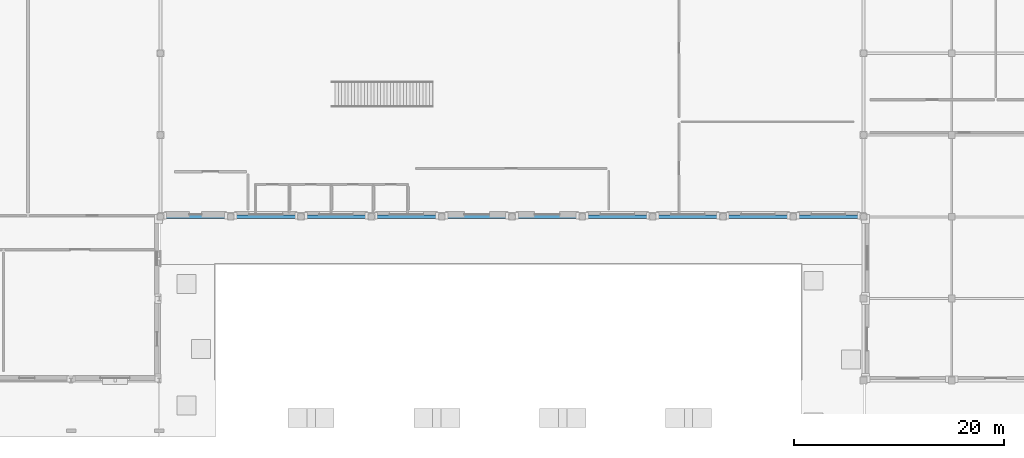
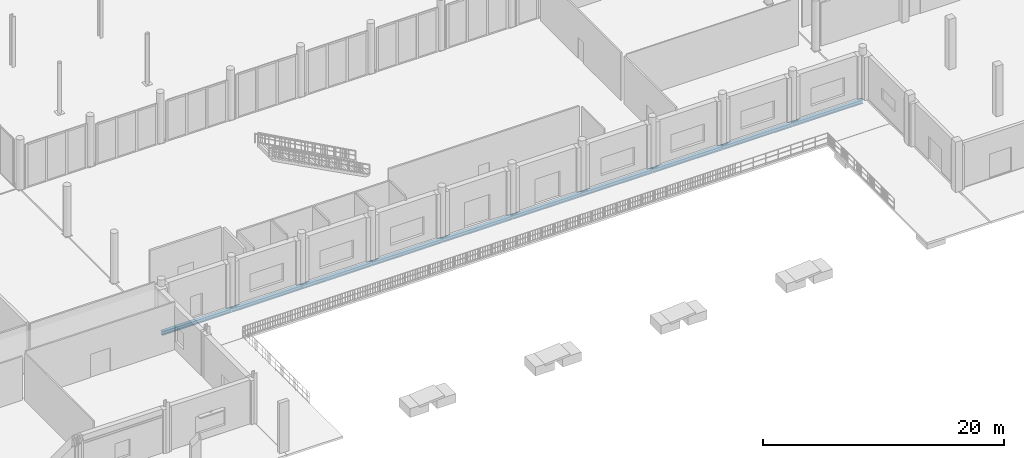
# One storey, part 23 of 80: 10 beams.
"""IFC4 building model written with IfcOpenShell, lengths in metres."""

from ifc_helpers import new_model, si_unit, direction, frame, origin, origin_2d, place, context, subcontext, project, spatial, i_section, extrude, material, material_profile, profile_set, type_object, element, save


model = new_model("IFC4")

# Units and contexts
model_context = context("Model", 3, precision=1e-05, world=origin(), true_north=direction((0.0, 1.0)))
body_context = subcontext(model_context, "Body", "Model", "MODEL_VIEW")
ifc_project = project(units=[si_unit("LENGTHUNIT", "METRE"), si_unit("AREAUNIT", "SQUARE_METRE"), si_unit("VOLUMEUNIT", "CUBIC_METRE"), si_unit("PLANEANGLEUNIT", "RADIAN"), si_unit("MASSUNIT", "GRAM", prefix="KILO")], contexts=[model_context])

# Site, building, storey
site_placement = place(None, origin())
site = spatial("IfcSite", under=ifc_project, at=site_placement, CompositionType="ELEMENT")
building_placement = place(site_placement, origin())
building = spatial("IfcBuilding", under=site, at=building_placement, Name="Nabrawat Pavilion Hospital", CompositionType="ELEMENT")
storey_placement = place(building_placement, origin())
storey = spatial("IfcBuildingStorey", under=building, at=storey_placement, Name="L00", CompositionType="ELEMENT", Elevation=0.0)

# Beams
ifc_material = material(Name="Steel S355", Category="steel")
ifc_material_profile = material_profile(ifc_material, i_section(OverallWidth=0.300048828125, OverallDepth=0.389892578125, WebThickness=0.010986328125, FlangeThickness=0.01904296875, FilletRadius=0.027099609375, at=origin_2d()), Name="HEA 400")
ifc_profile_set = profile_set([ifc_material_profile], Name="Steel S355")
beam_type = type_object("IfcBeamType", Name="Perimeter Moment Spandrel Beam HEA 400", PredefinedType="SPANDREL", material=ifc_profile_set)
for number, where, z_axis, x_axis, name in (
    (1, (58.93994140625, 15.60009765625, -0.455078125), (1.0, 0.0, 0.0), (0.0, 1.0, 0.0), "L00 Primary X Girder 27"),
    (2, (65.64794921875, 15.60009765625, -0.455078125), (1.0, 0.0, 0.0), (0.0, 1.0, 0.0), "L00 Primary X Girder 28"),
    (3, (72.35595703125, 15.60009765625, -0.455078125), (1.0, 0.0, 0.0), (0.0, 1.0, 0.0), "L00 Primary X Girder 29"),
    (4, (79.06396484375, 15.60009765625, -0.455078125), (1.0, 0.0, 0.0), (0.0, 1.0, 0.0), "L00 Primary X Girder 30"),
    (5, (85.77197265625, 15.60009765625, -0.455078125), (1.0, 0.0, 0.0), (0.0, 1.0, 0.0), "L00 Primary X Girder 31"),
    (6, (92.47998046875, 15.60009765625, -0.455078125), (1.0, 0.0, 0.0), (0.0, 1.0, 0.0), "L00 Primary X Girder 32"),
    (7, (99.18798828125, 15.60009765625, -0.455078125), (1.0, 0.0, 0.0), (0.0, 1.0, 0.0), "L00 Primary X Girder 33"),
    (8, (105.89599609375, 15.60009765625, -0.455078125), (1.0, 0.0, 0.0), (0.0, 1.0, 0.0), "L00 Primary X Girder 34"),
    (9, (112.60400390625, 15.60009765625, -0.455078125), (1.0, 0.0, 0.0), (0.0, 1.0, 0.0), "L00 Primary X Girder 35"),
    (10, (119.31201171875, 15.60009765625, -0.455078125), (1.0, 0.0, 0.0), (0.0, 1.0, 0.0), "L00 Primary X Girder 36"),
):
    element("IfcBeam", number, at=place(storey_placement, frame(where, z_axis=z_axis, x_axis=x_axis)), inside=storey, type_object=beam_type, Name=name, PredefinedType="SPANDREL", context=body_context, shape_type="SweptSolid", body=[
        extrude(i_section(OverallWidth=0.300048828125, OverallDepth=0.389892578125, WebThickness=0.010986328125, FlangeThickness=0.01904296875, FilletRadius=0.027099609375, at=origin_2d()), origin(), (0.0, 0.0, 1.0), 6.66796875),
    ])

save(model, "model.ifc")
